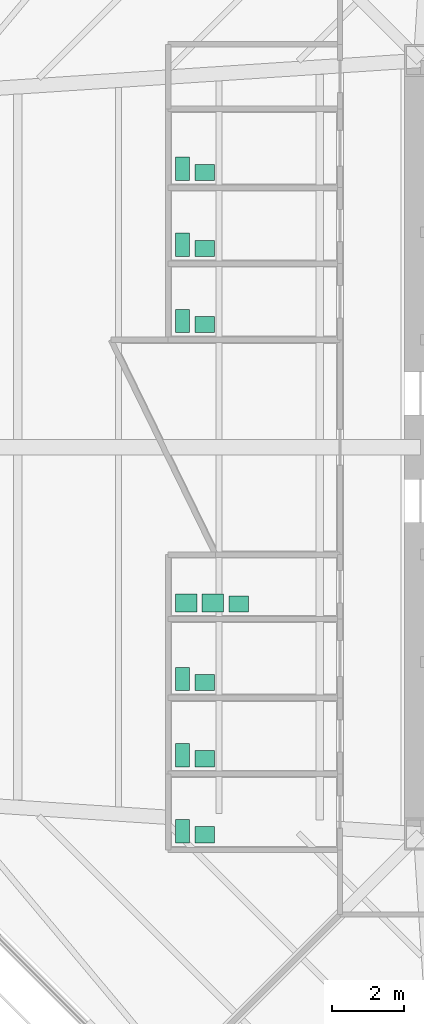
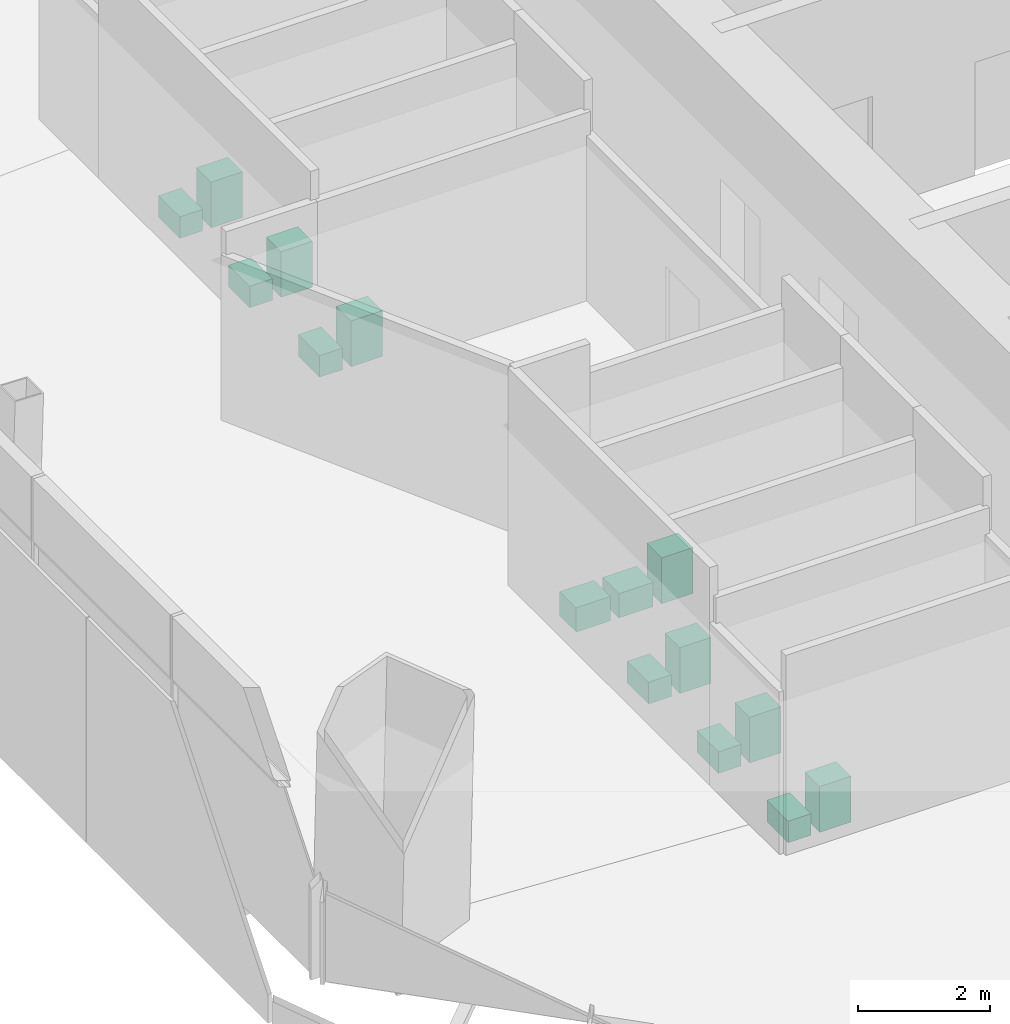
# One storey, part 18 of 18: 15 sanitary terminals.
"""IFC4 building model written with IfcOpenShell, lengths in metres."""

from ifc_helpers import new_model, si_unit, direction, frame, origin, origin_2d, place, context, subcontext, project, spatial, rectangle, extrude, material, type_object, element, save


model = new_model("IFC4")

# Units and contexts
model_context = context("Model", 3, precision=1e-05, world=origin(), true_north=direction((0.0, 1.0)))
body_context = subcontext(model_context, "Body", "Model", "MODEL_VIEW")
ifc_project = project(units=[si_unit("LENGTHUNIT", "METRE"), si_unit("AREAUNIT", "SQUARE_METRE"), si_unit("VOLUMEUNIT", "CUBIC_METRE"), si_unit("PLANEANGLEUNIT", "RADIAN"), si_unit("MASSUNIT", "GRAM", prefix="KILO")], contexts=[model_context])

# Site, building, storey
site_placement = place(None, origin())
site = spatial("IfcSite", under=ifc_project, at=site_placement, CompositionType="ELEMENT")
building_placement = place(site_placement, origin())
building = spatial("IfcBuilding", under=site, at=building_placement, Name="Mashrafa Tower", CompositionType="ELEMENT")
storey_placement = place(building_placement, frame((0.0, 0.0, 83.39990234375)))
storey = spatial("IfcBuildingStorey", under=building, at=storey_placement, Name="L18", CompositionType="ELEMENT", Elevation=83.39990234375)

# Sanitary terminals
ifc_material_1 = material(Name="Stainless steel", Category="steel")
sanitary_terminal_type_1 = type_object("IfcSanitaryTerminalType", Name="Ablution wash station 600 x 500", PredefinedType="WASHHANDBASIN", material=ifc_material_1)
for number, where, z_axis, x_axis, name in (
    (1, (-17.35009765625, -4.35009765625, 0.0), (0.0, 0.0, 1.0), (1.0, 0.0, 0.0), "Ablution wash station Ablution Room L18 S"),
    (2, (-16.60009765625, -4.35009765625, 0.0), (0.0, 0.0, 1.0), (1.0, 0.0, 0.0), "Ablution wash station Ablution Room L18 S"),
):
    element("IfcSanitaryTerminal", number, at=place(storey_placement, frame(where, z_axis=z_axis, x_axis=x_axis)), inside=storey, type_object=sanitary_terminal_type_1, Name=name, PredefinedType="WASHHANDBASIN", context=body_context, shape_type="SweptSolid", body=[
        extrude(rectangle(XDim=0.60009765625, YDim=0.5, at=origin_2d()), origin(), (0.0, 0.0, 1.0), 0.449951171875),
    ])
ifc_material_2 = material(Name="Vitreous china")
sanitary_terminal_type_2 = type_object("IfcSanitaryTerminalType", Name="Toilet pan 400 x 650", PredefinedType="TOILETPAN", material=ifc_material_2)
for number, where, z_axis, x_axis, name in (
    (3, (-17.449951171875, 3.52490234375, 0.000244140625), (0.0, 0.0, 1.0), (1.0, 0.0, 0.0), "Toilet pan WC Female L18 N"),
    (4, (-17.449951171875, 5.64990234375, 0.000244140625), (0.0, 0.0, 1.0), (1.0, 0.0, 0.0), "Toilet pan WC Male L18 N"),
    (5, (-17.449951171875, 7.77490234375, 0.000244140625), (0.0, 0.0, 1.0), (1.0, 0.0, 0.0), "Toilet pan Accessible WC L18 N"),
    (6, (-17.449951171875, -10.72509765625, 0.000244140625), (0.0, 0.0, 1.0), (1.0, 0.0, 0.0), "Toilet pan WC Female L18 S"),
    (7, (-17.449951171875, -8.60009765625, 0.000244140625), (0.0, 0.0, 1.0), (1.0, 0.0, 0.0), "Toilet pan WC Male L18 S"),
    (8, (-17.449951171875, -6.47509765625, 0.000244140625), (0.0, 0.0, 1.0), (1.0, 0.0, 0.0), "Toilet pan Accessible WC L18 S"),
):
    element("IfcSanitaryTerminal", number, at=place(storey_placement, frame(where, z_axis=z_axis, x_axis=x_axis)), inside=storey, type_object=sanitary_terminal_type_2, Name=name, PredefinedType="TOILETPAN", context=body_context, shape_type="SweptSolid", body=[
        extrude(rectangle(XDim=0.39990234375, YDim=0.64990234375, at=origin_2d()), origin(), (0.0, 0.0, 1.0), 0.39990234375),
    ])
ifc_material_3 = material(Name="Vitreous china")
sanitary_terminal_type_3 = type_object("IfcSanitaryTerminalType", Name="Wash basin 550 x 450", PredefinedType="WASHHANDBASIN", material=ifc_material_3)
for number, where, z_axis, x_axis, name in (
    (9, (-16.824951171875, 3.425048828125, 0.0), (0.0, 0.0, 1.0), (1.0, 0.0, 0.0), "Wash basin WC Female L18 N"),
    (10, (-16.824951171875, 5.550048828125, 0.0), (0.0, 0.0, 1.0), (1.0, 0.0, 0.0), "Wash basin WC Male L18 N"),
    (11, (-16.824951171875, 7.675048828125, 0.0), (0.0, 0.0, 1.0), (1.0, 0.0, 0.0), "Wash basin Accessible WC L18 N"),
    (12, (-16.824951171875, -10.824951171875, 0.0), (0.0, 0.0, 1.0), (1.0, 0.0, 0.0), "Wash basin WC Female L18 S"),
    (13, (-16.824951171875, -8.699951171875, 0.0), (0.0, 0.0, 1.0), (1.0, 0.0, 0.0), "Wash basin WC Male L18 S"),
    (14, (-16.824951171875, -6.574951171875, 0.0), (0.0, 0.0, 1.0), (1.0, 0.0, 0.0), "Wash basin Accessible WC L18 S"),
    (15, (-15.875, -4.375, 0.0), (0.0, 0.0, 1.0), (1.0, 0.0, 0.0), "Wash basin Ablution Room L18 S"),
):
    element("IfcSanitaryTerminal", number, at=place(storey_placement, frame(where, z_axis=z_axis, x_axis=x_axis)), inside=storey, type_object=sanitary_terminal_type_3, Name=name, PredefinedType="WASHHANDBASIN", context=body_context, shape_type="SweptSolid", body=[
        extrude(rectangle(XDim=0.550048828125, YDim=0.449951171875, at=origin_2d()), origin(), (0.0, 0.0, 1.0), 0.85009765625),
    ])

save(model, "model.ifc")
